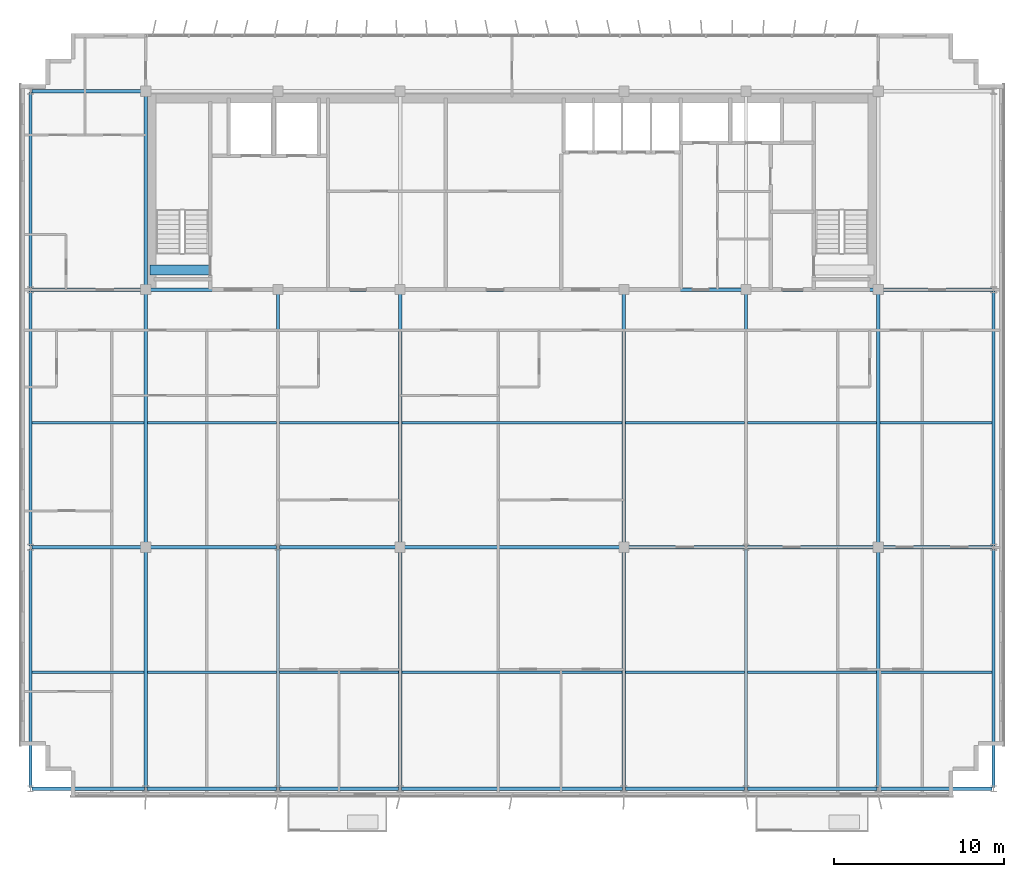
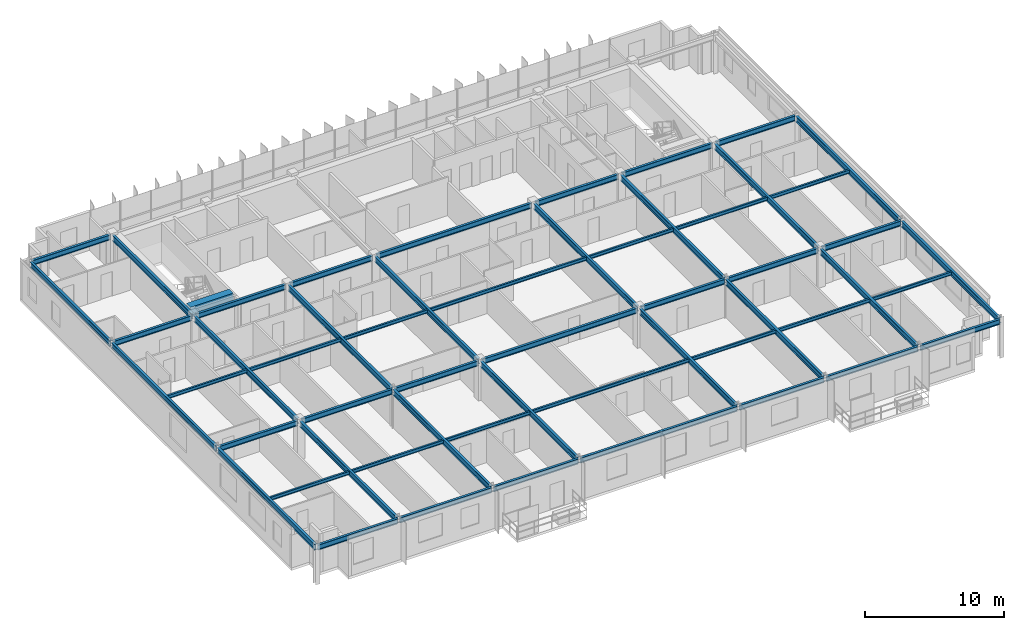
# One storey, part 5 of 23: 55 beams.
"""IFC4 building model written with IfcOpenShell, lengths in metres."""

from ifc_helpers import new_model, si_unit, direction, frame, origin, origin_2d, place, context, subcontext, project, spatial, rectangle, i_section, extrude, source, transform, mapped, material, material_profile, profile_set, type_object, element, save


model = new_model("IFC4")

# Units and contexts
model_context = context("Model", 3, precision=1e-05, world=origin(), true_north=direction((0.0, 1.0)))
body_context = subcontext(model_context, "Body", "Model", "MODEL_VIEW")
ifc_project = project(units=[si_unit("LENGTHUNIT", "METRE"), si_unit("AREAUNIT", "SQUARE_METRE"), si_unit("VOLUMEUNIT", "CUBIC_METRE"), si_unit("PLANEANGLEUNIT", "RADIAN"), si_unit("MASSUNIT", "GRAM", prefix="KILO")], contexts=[model_context])

# Site, building, storey
site_placement = place(None, origin())
site = spatial("IfcSite", under=ifc_project, at=site_placement, CompositionType="ELEMENT")
building_placement = place(site_placement, origin())
building = spatial("IfcBuilding", under=site, at=building_placement, Name="Trelvane Seafront Commons", CompositionType="ELEMENT")
storey_placement = place(building_placement, frame((0.0, 0.0, 259.5)))
storey = spatial("IfcBuildingStorey", under=building, at=storey_placement, Name="L67", CompositionType="ELEMENT", Elevation=259.5)

# Beams
ifc_material_1 = material(Name="Concrete C60/75", Category="concrete")
ifc_material_profile_1 = material_profile(ifc_material_1, rectangle(XDim=0.60009765625, YDim=0.89990234375, at=origin_2d()), Name="RC-600x900")
ifc_profile_set_1 = profile_set([ifc_material_profile_1], Name="Concrete C60/75")
beam_type_1 = type_object("IfcBeamType", Name="STR-LNT-RC600x900", PredefinedType="LINTEL", material=ifc_profile_set_1)
shared_shape_1 = source(origin(), body_context, "Body", "SweptSolid", [
    extrude(rectangle(XDim=0.60009765625, YDim=0.89990234375, at=origin_2d()), origin(), (0.0, 0.0, 1.0), 3.5498046875),
])
beam_1_placement = place(storey_placement, frame((15.85009765625, 34.550048828125, 2.919921875), z_axis=(1.0, 0.0, 0.0), x_axis=(0.0, 1.0, 0.0)))
element("IfcBeam", 1, at=beam_1_placement, inside=storey, type_object=beam_type_1, Name="L67 Core Coupling Lintel Beam CB-67", PredefinedType="LINTEL", context=body_context, shape_type="MappedRepresentation", body=[
    mapped(shared_shape_1, transform((0.0, 0.0, 0.0), x_axis=(1.0, 0.0, 0.0), y_axis=(0.0, 1.0, 0.0), z_axis=(0.0, 0.0, 1.0), scale=1.0)),
])
ifc_material_2 = material(Name="Steel SM355 (S355)", Category="steel")
ifc_material_profile_2 = material_profile(ifc_material_2, i_section(OverallWidth=0.199951171875, OverallDepth=0.5, WebThickness=0.010009765625, FlangeThickness=0.01611328125, at=origin_2d()), Name="H-500x200x10x16")
ifc_profile_set_2 = profile_set([ifc_material_profile_2], Name="Steel SM355 (S355)")
beam_type_2 = type_object("IfcBeamType", Name="STR-BM-H500", PredefinedType="BEAM", material=ifc_profile_set_2)
shared_shape_2 = source(origin(), body_context, "Body", "SweptSolid", [
    extrude(i_section(OverallWidth=0.199951171875, OverallDepth=0.5, WebThickness=0.010009765625, FlangeThickness=0.01611328125, at=origin_2d()), origin(), (0.0, 0.0, 1.0), 14.89990234375),
])
for number, where, z_axis, x_axis, name in (
    (2, (15.60009765625, 18.35009765625, 3.1201171875), (0.0, 1.0, 0.0), (-1.0, 0.0, 0.0), "L67 Primary Girder G-33"),
    (3, (30.60009765625, 18.35009765625, 3.1201171875), (0.0, 1.0, 0.0), (-1.0, 0.0, 0.0), "L67 Primary Girder G-39"),
    (4, (43.800048828125, 18.35009765625, 3.1201171875), (0.0, 1.0, 0.0), (-1.0, 0.0, 0.0), "L67 Primary Girder G-42"),
    (5, (58.800048828125, 18.35009765625, 3.1201171875), (0.0, 1.0, 0.0), (-1.0, 0.0, 0.0), "L67 Primary Girder G-48"),
):
    element("IfcBeam", number, at=place(storey_placement, frame(where, z_axis=z_axis, x_axis=x_axis)), inside=storey, type_object=beam_type_2, Name=name, PredefinedType="BEAM", context=body_context, shape_type="MappedRepresentation", body=[
        mapped(shared_shape_2, transform((0.0, 0.0, 0.0), x_axis=(1.0, 0.0, 0.0), y_axis=(0.0, 1.0, 0.0), z_axis=(0.0, 0.0, 1.0), scale=1.0)),
    ])
shared_shape_3 = source(origin(), body_context, "Body", "SweptSolid", [
    extrude(i_section(OverallWidth=0.199951171875, OverallDepth=0.5, WebThickness=0.010009765625, FlangeThickness=0.01611328125, at=origin_2d()), origin(), (0.0, 0.0, 1.0), 11.39990234375),
])
beam_2_placement = place(storey_placement, frame((15.60009765625, 33.550048828125, 3.1201171875), z_axis=(0.0, 1.0, 0.0), x_axis=(-1.0, 0.0, 0.0)))
element("IfcBeam", 6, at=beam_2_placement, inside=storey, type_object=beam_type_2, Name="L67 Primary Girder G-34", PredefinedType="BEAM", context=body_context, shape_type="MappedRepresentation", body=[
    mapped(shared_shape_3, transform((0.0, 0.0, 0.0), x_axis=(1.0, 0.0, 0.0), y_axis=(0.0, 1.0, 0.0), z_axis=(0.0, 0.0, 1.0), scale=1.0)),
])
ifc_material_profile_3 = material_profile(ifc_material_2, i_section(OverallWidth=0.199951171875, OverallDepth=0.449951171875, WebThickness=0.009033203125, FlangeThickness=0.013916015625, at=origin_2d()), Name="H-450x200x9x14")
ifc_profile_set_3 = profile_set([ifc_material_profile_3], Name="Steel SM355 (S355)")
beam_type_3 = type_object("IfcBeamType", Name="STR-SPD-H450", PredefinedType="SPANDREL", material=ifc_profile_set_3)
shared_shape_4 = source(origin(), body_context, "Body", "SweptSolid", [
    extrude(i_section(OverallWidth=0.199951171875, OverallDepth=0.449951171875, WebThickness=0.009033203125, FlangeThickness=0.013916015625, at=origin_2d()), origin(), (0.0, 0.0, 1.0), 6.625),
])
for number, where, z_axis, x_axis, name in (
    (7, (8.887451171875, 3.949951171875, 3.14501953125), (1.0, 0.0, 0.0), (0.0, 1.0, 0.0), "L67 Primary Girder G-01"),
    (8, (58.887451171875, 3.949951171875, 3.14501953125), (1.0, 0.0, 0.0), (0.0, 1.0, 0.0), "L67 Primary Girder G-07"),
):
    element("IfcBeam", number, at=place(storey_placement, frame(where, z_axis=z_axis, x_axis=x_axis)), inside=storey, type_object=beam_type_3, Name=name, PredefinedType="SPANDREL", context=body_context, shape_type="MappedRepresentation", body=[
        mapped(shared_shape_4, transform((0.0, 0.0, 0.0), x_axis=(1.0, 0.0, 0.0), y_axis=(0.0, 1.0, 0.0), z_axis=(0.0, 0.0, 1.0), scale=1.0)),
    ])
shared_shape_5 = source(origin(), body_context, "Body", "SweptSolid", [
    extrude(i_section(OverallWidth=0.199951171875, OverallDepth=0.449951171875, WebThickness=0.009033203125, FlangeThickness=0.013916015625, at=origin_2d()), origin(), (0.0, 0.0, 1.0), 7.625),
])
for number, where, z_axis, x_axis, name in (
    (9, (15.6875, 3.949951171875, 3.14501953125), (1.0, 0.0, 0.0), (0.0, 1.0, 0.0), "L67 Primary Girder G-02"),
    (10, (51.08740234375, 3.949951171875, 3.14501953125), (1.0, 0.0, 0.0), (0.0, 1.0, 0.0), "L67 Primary Girder G-06"),
):
    element("IfcBeam", number, at=place(storey_placement, frame(where, z_axis=z_axis, x_axis=x_axis)), inside=storey, type_object=beam_type_3, Name=name, PredefinedType="SPANDREL", context=body_context, shape_type="MappedRepresentation", body=[
        mapped(shared_shape_5, transform((0.0, 0.0, 0.0), x_axis=(1.0, 0.0, 0.0), y_axis=(0.0, 1.0, 0.0), z_axis=(0.0, 0.0, 1.0), scale=1.0)),
    ])
shared_shape_6 = source(origin(), body_context, "Body", "SweptSolid", [
    extrude(i_section(OverallWidth=0.199951171875, OverallDepth=0.449951171875, WebThickness=0.009033203125, FlangeThickness=0.013916015625, at=origin_2d()), origin(), (0.0, 0.0, 1.0), 7.02490234375),
])
beam_3_placement = place(storey_placement, frame((23.487548828125, 3.949951171875, 3.14501953125), z_axis=(1.0, 0.0, 0.0), x_axis=(0.0, 1.0, 0.0)))
element("IfcBeam", 11, at=beam_3_placement, inside=storey, type_object=beam_type_3, Name="L67 Primary Girder G-03", PredefinedType="SPANDREL", context=body_context, shape_type="MappedRepresentation", body=[
    mapped(shared_shape_6, transform((0.0, 0.0, 0.0), x_axis=(1.0, 0.0, 0.0), y_axis=(0.0, 1.0, 0.0), z_axis=(0.0, 0.0, 1.0), scale=1.0)),
])
shared_shape_7 = source(origin(), body_context, "Body", "SweptSolid", [
    extrude(i_section(OverallWidth=0.199951171875, OverallDepth=0.449951171875, WebThickness=0.009033203125, FlangeThickness=0.013916015625, at=origin_2d()), origin(), (0.0, 0.0, 1.0), 7.025146484375),
])
beam_4_placement = place(storey_placement, frame((43.887451171875, 3.949951171875, 3.14501953125), z_axis=(1.0, 0.0, 0.0), x_axis=(0.0, 1.0, 0.0)))
element("IfcBeam", 12, at=beam_4_placement, inside=storey, type_object=beam_type_3, Name="L67 Primary Girder G-05", PredefinedType="SPANDREL", context=body_context, shape_type="MappedRepresentation", body=[
    mapped(shared_shape_7, transform((0.0, 0.0, 0.0), x_axis=(1.0, 0.0, 0.0), y_axis=(0.0, 1.0, 0.0), z_axis=(0.0, 0.0, 1.0), scale=1.0)),
])
shared_shape_8 = source(origin(), body_context, "Body", "SweptSolid", [
    extrude(i_section(OverallWidth=0.199951171875, OverallDepth=0.449951171875, WebThickness=0.009033203125, FlangeThickness=0.013916015625, at=origin_2d()), origin(), (0.0, 0.0, 1.0), 6.5625),
])
for number, where, z_axis, x_axis, name in (
    (13, (8.887451171875, 18.199951171875, 3.14501953125), (1.0, 0.0, 0.0), (0.0, 1.0, 0.0), "L67 Primary Girder G-08"),
    (14, (58.949951171875, 18.199951171875, 3.14501953125), (1.0, 0.0, 0.0), (0.0, 1.0, 0.0), "L67 Primary Girder G-14"),
    (15, (8.887451171875, 33.39990234375, 3.14501953125), (1.0, 0.0, 0.0), (0.0, 1.0, 0.0), "L67 Primary Girder G-15"),
    (16, (58.949951171875, 33.39990234375, 3.14501953125), (1.0, 0.0, 0.0), (0.0, 1.0, 0.0), "L67 Primary Girder G-21"),
    (17, (8.887451171875, 45.10009765625, 3.14501953125), (1.0, 0.0, 0.0), (0.0, 1.0, 0.0), "L67 Primary Girder G-22"),
):
    element("IfcBeam", number, at=place(storey_placement, frame(where, z_axis=z_axis, x_axis=x_axis)), inside=storey, type_object=beam_type_3, Name=name, PredefinedType="SPANDREL", context=body_context, shape_type="MappedRepresentation", body=[
        mapped(shared_shape_8, transform((0.0, 0.0, 0.0), x_axis=(1.0, 0.0, 0.0), y_axis=(0.0, 1.0, 0.0), z_axis=(0.0, 0.0, 1.0), scale=1.0)),
    ])
shared_shape_9 = source(origin(), body_context, "Body", "SweptSolid", [
    extrude(i_section(OverallWidth=0.199951171875, OverallDepth=0.449951171875, WebThickness=0.009033203125, FlangeThickness=0.013916015625, at=origin_2d()), origin(), (0.0, 0.0, 1.0), 7.5625),
])
for number, where, z_axis, x_axis, name in (
    (18, (15.75, 18.199951171875, 3.14501953125), (1.0, 0.0, 0.0), (0.0, 1.0, 0.0), "L67 Primary Girder G-09"),
    (19, (51.08740234375, 18.199951171875, 3.14501953125), (1.0, 0.0, 0.0), (0.0, 1.0, 0.0), "L67 Primary Girder G-13"),
):
    element("IfcBeam", number, at=place(storey_placement, frame(where, z_axis=z_axis, x_axis=x_axis)), inside=storey, type_object=beam_type_3, Name=name, PredefinedType="SPANDREL", context=body_context, shape_type="MappedRepresentation", body=[
        mapped(shared_shape_9, transform((0.0, 0.0, 0.0), x_axis=(1.0, 0.0, 0.0), y_axis=(0.0, 1.0, 0.0), z_axis=(0.0, 0.0, 1.0), scale=1.0)),
    ])
shared_shape_10 = source(origin(), body_context, "Body", "SweptSolid", [
    extrude(i_section(OverallWidth=0.199951171875, OverallDepth=0.449951171875, WebThickness=0.009033203125, FlangeThickness=0.013916015625, at=origin_2d()), origin(), (0.0, 0.0, 1.0), 6.96240234375),
])
beam_5_placement = place(storey_placement, frame((23.487548828125, 18.199951171875, 3.14501953125), z_axis=(1.0, 0.0, 0.0), x_axis=(0.0, 1.0, 0.0)))
element("IfcBeam", 20, at=beam_5_placement, inside=storey, type_object=beam_type_3, Name="L67 Primary Girder G-10", PredefinedType="SPANDREL", context=body_context, shape_type="MappedRepresentation", body=[
    mapped(shared_shape_10, transform((0.0, 0.0, 0.0), x_axis=(1.0, 0.0, 0.0), y_axis=(0.0, 1.0, 0.0), z_axis=(0.0, 0.0, 1.0), scale=1.0)),
])
shared_shape_11 = source(origin(), body_context, "Body", "SweptSolid", [
    extrude(i_section(OverallWidth=0.199951171875, OverallDepth=0.449951171875, WebThickness=0.009033203125, FlangeThickness=0.013916015625, at=origin_2d()), origin(), (0.0, 0.0, 1.0), 6.962646484375),
])
beam_6_placement = place(storey_placement, frame((43.949951171875, 18.199951171875, 3.14501953125), z_axis=(1.0, 0.0, 0.0), x_axis=(0.0, 1.0, 0.0)))
element("IfcBeam", 21, at=beam_6_placement, inside=storey, type_object=beam_type_3, Name="L67 Primary Girder G-12", PredefinedType="SPANDREL", context=body_context, shape_type="MappedRepresentation", body=[
    mapped(shared_shape_11, transform((0.0, 0.0, 0.0), x_axis=(1.0, 0.0, 0.0), y_axis=(0.0, 1.0, 0.0), z_axis=(0.0, 0.0, 1.0), scale=1.0)),
])
shared_shape_12 = source(origin(), body_context, "Body", "SweptSolid", [
    extrude(i_section(OverallWidth=0.199951171875, OverallDepth=0.449951171875, WebThickness=0.009033203125, FlangeThickness=0.013916015625, at=origin_2d()), origin(), (0.0, 0.0, 1.0), 7.5),
])
for number, where, z_axis, x_axis, name in (
    (22, (15.75, 33.39990234375, 3.14501953125), (1.0, 0.0, 0.0), (0.0, 1.0, 0.0), "L67 Primary Girder G-16"),
    (23, (51.14990234375, 33.39990234375, 3.14501953125), (1.0, 0.0, 0.0), (0.0, 1.0, 0.0), "L67 Primary Girder G-20"),
):
    element("IfcBeam", number, at=place(storey_placement, frame(where, z_axis=z_axis, x_axis=x_axis)), inside=storey, type_object=beam_type_3, Name=name, PredefinedType="SPANDREL", context=body_context, shape_type="MappedRepresentation", body=[
        mapped(shared_shape_12, transform((0.0, 0.0, 0.0), x_axis=(1.0, 0.0, 0.0), y_axis=(0.0, 1.0, 0.0), z_axis=(0.0, 0.0, 1.0), scale=1.0)),
    ])
shared_shape_13 = source(origin(), body_context, "Body", "SweptSolid", [
    extrude(i_section(OverallWidth=0.199951171875, OverallDepth=0.449951171875, WebThickness=0.009033203125, FlangeThickness=0.013916015625, at=origin_2d()), origin(), (0.0, 0.0, 1.0), 6.89990234375),
])
beam_7_placement = place(storey_placement, frame((23.550048828125, 33.39990234375, 3.14501953125), z_axis=(1.0, 0.0, 0.0), x_axis=(0.0, 1.0, 0.0)))
element("IfcBeam", 24, at=beam_7_placement, inside=storey, type_object=beam_type_3, Name="L67 Primary Girder G-17", PredefinedType="SPANDREL", context=body_context, shape_type="MappedRepresentation", body=[
    mapped(shared_shape_13, transform((0.0, 0.0, 0.0), x_axis=(1.0, 0.0, 0.0), y_axis=(0.0, 1.0, 0.0), z_axis=(0.0, 0.0, 1.0), scale=1.0)),
])
shared_shape_14 = source(origin(), body_context, "Body", "SweptSolid", [
    extrude(i_section(OverallWidth=0.199951171875, OverallDepth=0.449951171875, WebThickness=0.009033203125, FlangeThickness=0.013916015625, at=origin_2d()), origin(), (0.0, 0.0, 1.0), 12.89990234375),
])
for number, where, z_axis, x_axis, name in (
    (25, (30.75, 18.199951171875, 3.14501953125), (1.0, 0.0, 0.0), (0.0, 1.0, 0.0), "L67 Primary Girder G-11"),
    (26, (30.75, 33.39990234375, 3.14501953125), (1.0, 0.0, 0.0), (0.0, 1.0, 0.0), "L67 Primary Girder G-18"),
):
    element("IfcBeam", number, at=place(storey_placement, frame(where, z_axis=z_axis, x_axis=x_axis)), inside=storey, type_object=beam_type_3, Name=name, PredefinedType="SPANDREL", context=body_context, shape_type="MappedRepresentation", body=[
        mapped(shared_shape_14, transform((0.0, 0.0, 0.0), x_axis=(1.0, 0.0, 0.0), y_axis=(0.0, 1.0, 0.0), z_axis=(0.0, 0.0, 1.0), scale=1.0)),
    ])
shared_shape_15 = source(origin(), body_context, "Body", "SweptSolid", [
    extrude(i_section(OverallWidth=0.199951171875, OverallDepth=0.449951171875, WebThickness=0.009033203125, FlangeThickness=0.013916015625, at=origin_2d()), origin(), (0.0, 0.0, 1.0), 6.900146484375),
])
beam_8_placement = place(storey_placement, frame((43.949951171875, 33.39990234375, 3.14501953125), z_axis=(1.0, 0.0, 0.0), x_axis=(0.0, 1.0, 0.0)))
element("IfcBeam", 27, at=beam_8_placement, inside=storey, type_object=beam_type_3, Name="L67 Primary Girder G-19", PredefinedType="SPANDREL", context=body_context, shape_type="MappedRepresentation", body=[
    mapped(shared_shape_15, transform((0.0, 0.0, 0.0), x_axis=(1.0, 0.0, 0.0), y_axis=(0.0, 1.0, 0.0), z_axis=(0.0, 0.0, 1.0), scale=1.0)),
])
shared_shape_16 = source(origin(), body_context, "Body", "SweptSolid", [
    extrude(i_section(OverallWidth=0.199951171875, OverallDepth=0.5, WebThickness=0.010009765625, FlangeThickness=0.01611328125, at=origin_2d()), origin(), (0.0, 0.0, 1.0), 14.074951171875),
])
for number, where, z_axis, x_axis, name in (
    (28, (8.800048828125, 4.03759765625, 3.1201171875), (0.0, 1.0, 0.0), (-1.0, 0.0, 0.0), "L67 Primary Girder G-29"),
    (29, (23.39990234375, 4.03759765625, 3.1201171875), (0.0, 1.0, 0.0), (-1.0, 0.0, 0.0), "L67 Primary Girder G-35"),
    (30, (51.0, 4.03759765625, 3.1201171875), (0.0, 1.0, 0.0), (-1.0, 0.0, 0.0), "L67 Primary Girder G-44"),
    (31, (65.60009765625, 4.03759765625, 3.1201171875), (0.0, 1.0, 0.0), (-1.0, 0.0, 0.0), "L67 Primary Girder G-50"),
):
    element("IfcBeam", number, at=place(storey_placement, frame(where, z_axis=z_axis, x_axis=x_axis)), inside=storey, type_object=beam_type_2, Name=name, PredefinedType="BEAM", context=body_context, shape_type="MappedRepresentation", body=[
        mapped(shared_shape_16, transform((0.0, 0.0, 0.0), x_axis=(1.0, 0.0, 0.0), y_axis=(0.0, 1.0, 0.0), z_axis=(0.0, 0.0, 1.0), scale=1.0)),
    ])
shared_shape_17 = source(origin(), body_context, "Body", "SweptSolid", [
    extrude(i_section(OverallWidth=0.199951171875, OverallDepth=0.5, WebThickness=0.010009765625, FlangeThickness=0.01611328125, at=origin_2d()), origin(), (0.0, 0.0, 1.0), 15.02490234375),
])
for number, where, z_axis, x_axis, name in (
    (32, (8.800048828125, 18.28759765625, 3.1201171875), (0.0, 1.0, 0.0), (-1.0, 0.0, 0.0), "L67 Primary Girder G-30"),
    (33, (65.60009765625, 18.28759765625, 3.1201171875), (0.0, 1.0, 0.0), (-1.0, 0.0, 0.0), "L67 Primary Girder G-51"),
):
    element("IfcBeam", number, at=place(storey_placement, frame(where, z_axis=z_axis, x_axis=x_axis)), inside=storey, type_object=beam_type_2, Name=name, PredefinedType="BEAM", context=body_context, shape_type="MappedRepresentation", body=[
        mapped(shared_shape_17, transform((0.0, 0.0, 0.0), x_axis=(1.0, 0.0, 0.0), y_axis=(0.0, 1.0, 0.0), z_axis=(0.0, 0.0, 1.0), scale=1.0)),
    ])
shared_shape_18 = source(origin(), body_context, "Body", "SweptSolid", [
    extrude(i_section(OverallWidth=0.199951171875, OverallDepth=0.5, WebThickness=0.010009765625, FlangeThickness=0.01611328125, at=origin_2d()), origin(), (0.0, 0.0, 1.0), 11.52490234375),
])
beam_9_placement = place(storey_placement, frame((8.800048828125, 33.487548828125, 3.1201171875), z_axis=(0.0, 1.0, 0.0), x_axis=(-1.0, 0.0, 0.0)))
element("IfcBeam", 34, at=beam_9_placement, inside=storey, type_object=beam_type_2, Name="L67 Primary Girder G-31", PredefinedType="BEAM", context=body_context, shape_type="MappedRepresentation", body=[
    mapped(shared_shape_18, transform((0.0, 0.0, 0.0), x_axis=(1.0, 0.0, 0.0), y_axis=(0.0, 1.0, 0.0), z_axis=(0.0, 0.0, 1.0), scale=1.0)),
])
shared_shape_19 = source(origin(), body_context, "Body", "SweptSolid", [
    extrude(i_section(OverallWidth=0.199951171875, OverallDepth=0.5, WebThickness=0.010009765625, FlangeThickness=0.01611328125, at=origin_2d()), origin(), (0.0, 0.0, 1.0), 14.012451171875),
])
for number, where, z_axis, x_axis, name in (
    (35, (15.60009765625, 4.03759765625, 3.1201171875), (0.0, 1.0, 0.0), (-1.0, 0.0, 0.0), "L67 Primary Girder G-32"),
    (36, (30.60009765625, 4.03759765625, 3.1201171875), (0.0, 1.0, 0.0), (-1.0, 0.0, 0.0), "L67 Primary Girder G-38"),
    (37, (43.800048828125, 4.03759765625, 3.1201171875), (0.0, 1.0, 0.0), (-1.0, 0.0, 0.0), "L67 Primary Girder G-41"),
    (38, (58.800048828125, 4.03759765625, 3.1201171875), (0.0, 1.0, 0.0), (-1.0, 0.0, 0.0), "L67 Primary Girder G-47"),
):
    element("IfcBeam", number, at=place(storey_placement, frame(where, z_axis=z_axis, x_axis=x_axis)), inside=storey, type_object=beam_type_2, Name=name, PredefinedType="BEAM", context=body_context, shape_type="MappedRepresentation", body=[
        mapped(shared_shape_19, transform((0.0, 0.0, 0.0), x_axis=(1.0, 0.0, 0.0), y_axis=(0.0, 1.0, 0.0), z_axis=(0.0, 0.0, 1.0), scale=1.0)),
    ])
shared_shape_20 = source(origin(), body_context, "Body", "SweptSolid", [
    extrude(i_section(OverallWidth=0.199951171875, OverallDepth=0.5, WebThickness=0.010009765625, FlangeThickness=0.01611328125, at=origin_2d()), origin(), (0.0, 0.0, 1.0), 14.96240234375),
])
for number, where, z_axis, x_axis, name in (
    (39, (23.39990234375, 18.28759765625, 3.1201171875), (0.0, 1.0, 0.0), (-1.0, 0.0, 0.0), "L67 Primary Girder G-36"),
    (40, (51.0, 18.28759765625, 3.1201171875), (0.0, 1.0, 0.0), (-1.0, 0.0, 0.0), "L67 Primary Girder G-45"),
):
    element("IfcBeam", number, at=place(storey_placement, frame(where, z_axis=z_axis, x_axis=x_axis)), inside=storey, type_object=beam_type_2, Name=name, PredefinedType="BEAM", context=body_context, shape_type="MappedRepresentation", body=[
        mapped(shared_shape_20, transform((0.0, 0.0, 0.0), x_axis=(1.0, 0.0, 0.0), y_axis=(0.0, 1.0, 0.0), z_axis=(0.0, 0.0, 1.0), scale=1.0)),
    ])
ifc_material_profile_4 = material_profile(ifc_material_2, i_section(OverallWidth=0.14990234375, OverallDepth=0.300048828125, WebThickness=0.006591796875, FlangeThickness=0.009033203125, at=origin_2d()), Name="H-300x150x6.5x9")
ifc_profile_set_4 = profile_set([ifc_material_profile_4], Name="Steel SM355 (S355)")
beam_type_4 = type_object("IfcBeamType", Name="STR-JST-H300", PredefinedType="JOIST", material=ifc_profile_set_4)
shared_shape_21 = source(origin(), body_context, "Body", "SweptSolid", [
    extrude(i_section(OverallWidth=0.14990234375, OverallDepth=0.300048828125, WebThickness=0.006591796875, FlangeThickness=0.009033203125, at=origin_2d()), origin(), (0.0, 0.0, 1.0), 6.60009765625),
])
for number, where, z_axis, x_axis, name in (
    (41, (8.89990234375, 10.824951171875, 3.219970703125), (1.0, 0.0, 0.0), (0.0, 1.0, 0.0), "L67 Secondary Floor Joist B-53"),
    (42, (58.89990234375, 10.824951171875, 3.219970703125), (1.0, 0.0, 0.0), (0.0, 1.0, 0.0), "L67 Secondary Floor Joist B-59"),
    (43, (8.89990234375, 25.550048828125, 3.219970703125), (1.0, 0.0, 0.0), (0.0, 1.0, 0.0), "L67 Secondary Floor Joist B-60"),
    (44, (58.89990234375, 25.550048828125, 3.219970703125), (1.0, 0.0, 0.0), (0.0, 1.0, 0.0), "L67 Secondary Floor Joist B-66"),
):
    element("IfcBeam", number, at=place(storey_placement, frame(where, z_axis=z_axis, x_axis=x_axis)), inside=storey, type_object=beam_type_4, Name=name, PredefinedType="JOIST", context=body_context, shape_type="MappedRepresentation", body=[
        mapped(shared_shape_21, transform((0.0, 0.0, 0.0), x_axis=(1.0, 0.0, 0.0), y_axis=(0.0, 1.0, 0.0), z_axis=(0.0, 0.0, 1.0), scale=1.0)),
    ])
shared_shape_22 = source(origin(), body_context, "Body", "SweptSolid", [
    extrude(i_section(OverallWidth=0.14990234375, OverallDepth=0.300048828125, WebThickness=0.006591796875, FlangeThickness=0.009033203125, at=origin_2d()), origin(), (0.0, 0.0, 1.0), 7.60009765625),
])
for number, where, z_axis, x_axis, name in (
    (45, (15.699951171875, 10.824951171875, 3.219970703125), (1.0, 0.0, 0.0), (0.0, 1.0, 0.0), "L67 Secondary Floor Joist B-54"),
    (46, (15.699951171875, 25.550048828125, 3.219970703125), (1.0, 0.0, 0.0), (0.0, 1.0, 0.0), "L67 Secondary Floor Joist B-61"),
):
    element("IfcBeam", number, at=place(storey_placement, frame(where, z_axis=z_axis, x_axis=x_axis)), inside=storey, type_object=beam_type_4, Name=name, PredefinedType="JOIST", context=body_context, shape_type="MappedRepresentation", body=[
        mapped(shared_shape_22, transform((0.0, 0.0, 0.0), x_axis=(1.0, 0.0, 0.0), y_axis=(0.0, 1.0, 0.0), z_axis=(0.0, 0.0, 1.0), scale=1.0)),
    ])
shared_shape_23 = source(origin(), body_context, "Body", "SweptSolid", [
    extrude(i_section(OverallWidth=0.14990234375, OverallDepth=0.300048828125, WebThickness=0.006591796875, FlangeThickness=0.009033203125, at=origin_2d()), origin(), (0.0, 0.0, 1.0), 7.0),
])
for number, where, z_axis, x_axis, name in (
    (47, (23.5, 10.824951171875, 3.219970703125), (1.0, 0.0, 0.0), (0.0, 1.0, 0.0), "L67 Secondary Floor Joist B-55"),
    (48, (43.89990234375, 10.824951171875, 3.219970703125), (1.0, 0.0, 0.0), (0.0, 1.0, 0.0), "L67 Secondary Floor Joist B-57"),
    (49, (23.5, 25.550048828125, 3.219970703125), (1.0, 0.0, 0.0), (0.0, 1.0, 0.0), "L67 Secondary Floor Joist B-62"),
    (50, (43.89990234375, 25.550048828125, 3.219970703125), (1.0, 0.0, 0.0), (0.0, 1.0, 0.0), "L67 Secondary Floor Joist B-64"),
):
    element("IfcBeam", number, at=place(storey_placement, frame(where, z_axis=z_axis, x_axis=x_axis)), inside=storey, type_object=beam_type_4, Name=name, PredefinedType="JOIST", context=body_context, shape_type="MappedRepresentation", body=[
        mapped(shared_shape_23, transform((0.0, 0.0, 0.0), x_axis=(1.0, 0.0, 0.0), y_axis=(0.0, 1.0, 0.0), z_axis=(0.0, 0.0, 1.0), scale=1.0)),
    ])
shared_shape_24 = source(origin(), body_context, "Body", "SweptSolid", [
    extrude(i_section(OverallWidth=0.14990234375, OverallDepth=0.300048828125, WebThickness=0.006591796875, FlangeThickness=0.009033203125, at=origin_2d()), origin(), (0.0, 0.0, 1.0), 7.599853515625),
])
for number, where, z_axis, x_axis, name in (
    (51, (51.10009765625, 10.824951171875, 3.219970703125), (1.0, 0.0, 0.0), (0.0, 1.0, 0.0), "L67 Secondary Floor Joist B-58"),
    (52, (51.10009765625, 25.550048828125, 3.219970703125), (1.0, 0.0, 0.0), (0.0, 1.0, 0.0), "L67 Secondary Floor Joist B-65"),
):
    element("IfcBeam", number, at=place(storey_placement, frame(where, z_axis=z_axis, x_axis=x_axis)), inside=storey, type_object=beam_type_4, Name=name, PredefinedType="JOIST", context=body_context, shape_type="MappedRepresentation", body=[
        mapped(shared_shape_24, transform((0.0, 0.0, 0.0), x_axis=(1.0, 0.0, 0.0), y_axis=(0.0, 1.0, 0.0), z_axis=(0.0, 0.0, 1.0), scale=1.0)),
    ])
shared_shape_25 = source(origin(), body_context, "Body", "SweptSolid", [
    extrude(i_section(OverallWidth=0.14990234375, OverallDepth=0.300048828125, WebThickness=0.006591796875, FlangeThickness=0.009033203125, at=origin_2d()), origin(), (0.0, 0.0, 1.0), 13.0),
])
for number, where, z_axis, x_axis, name in (
    (53, (30.699951171875, 10.824951171875, 3.219970703125), (1.0, 0.0, 0.0), (0.0, 1.0, 0.0), "L67 Secondary Floor Joist B-56"),
    (54, (30.699951171875, 25.550048828125, 3.219970703125), (1.0, 0.0, 0.0), (0.0, 1.0, 0.0), "L67 Secondary Floor Joist B-63"),
):
    element("IfcBeam", number, at=place(storey_placement, frame(where, z_axis=z_axis, x_axis=x_axis)), inside=storey, type_object=beam_type_4, Name=name, PredefinedType="JOIST", context=body_context, shape_type="MappedRepresentation", body=[
        mapped(shared_shape_25, transform((0.0, 0.0, 0.0), x_axis=(1.0, 0.0, 0.0), y_axis=(0.0, 1.0, 0.0), z_axis=(0.0, 0.0, 1.0), scale=1.0)),
    ])
shared_shape_26 = source(origin(), body_context, "Body", "SweptSolid", [
    extrude(i_section(OverallWidth=0.199951171875, OverallDepth=0.449951171875, WebThickness=0.009033203125, FlangeThickness=0.013916015625, at=origin_2d()), origin(), (0.0, 0.0, 1.0), 13.02490234375),
])
beam_10_placement = place(storey_placement, frame((30.6875, 3.949951171875, 3.14501953125), z_axis=(1.0, 0.0, 0.0), x_axis=(0.0, 1.0, 0.0)))
element("IfcBeam", 55, at=beam_10_placement, inside=storey, type_object=beam_type_3, Name="L67 Primary Girder G-04", PredefinedType="SPANDREL", context=body_context, shape_type="MappedRepresentation", body=[
    mapped(shared_shape_26, transform((0.0, 0.0, 0.0), x_axis=(1.0, 0.0, 0.0), y_axis=(0.0, 1.0, 0.0), z_axis=(0.0, 0.0, 1.0), scale=1.0)),
])

save(model, "model.ifc")
